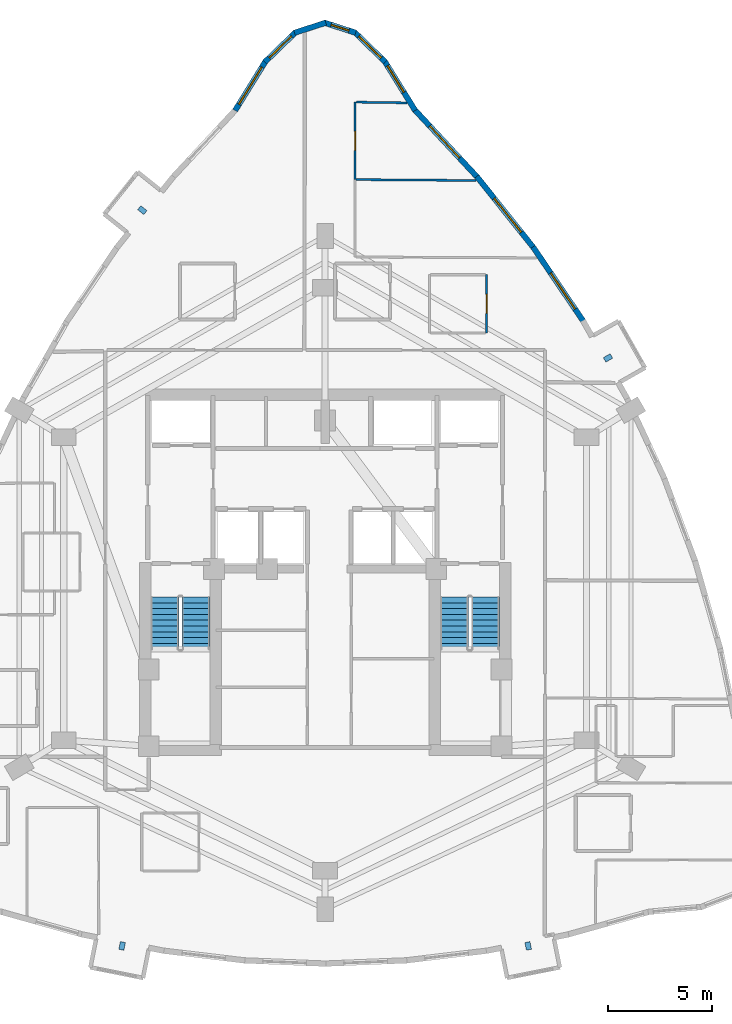
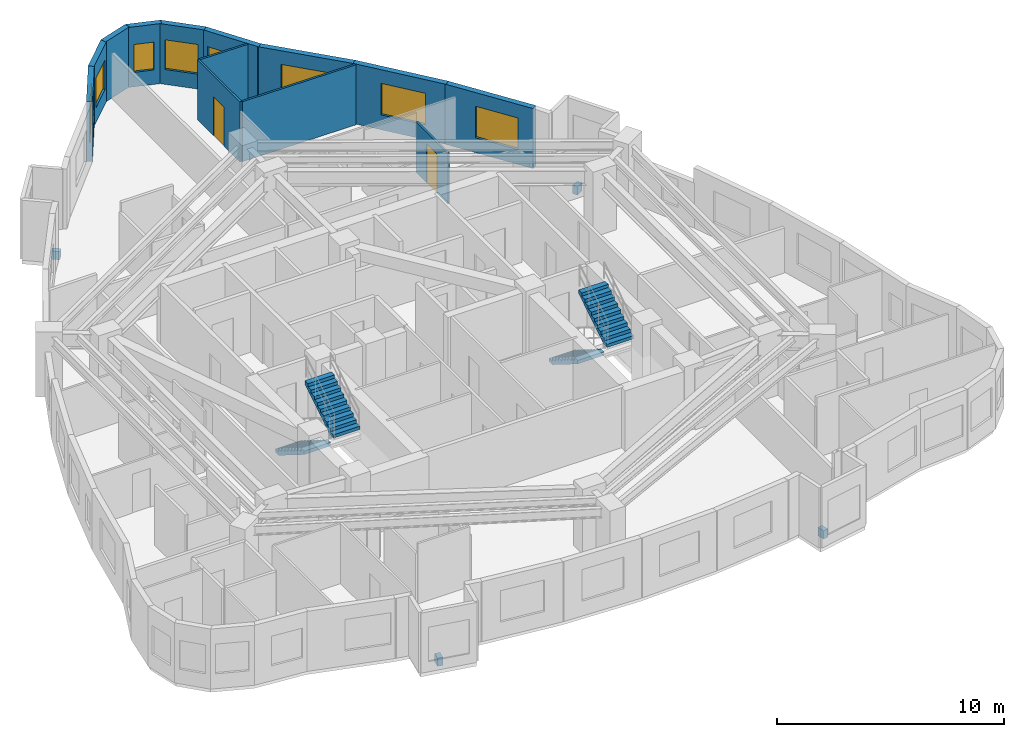
# One storey, part 10 of 11: 13 walls, 8 windows, 4 discrete accessories, 4 stair flights, 2 doors, 10 openings, 2 elements without a shape of their own.
"""IFC4 building model written with IfcOpenShell, lengths in metres."""

from ifc_helpers import new_model, si_unit, direction, frame, frame_2d, origin, origin_2d, place, context, subcontext, project, spatial, polyline, rectangle, outline, extrude, material, layer, layer_set, type_object, element, fill, aggregate, save


model = new_model("IFC4")

# Units and contexts
model_context = context("Model", 3, precision=1e-05, world=origin(), true_north=direction((0.0, 1.0)))
body_context = subcontext(model_context, "Body", "Model", "MODEL_VIEW")
ifc_project = project(units=[si_unit("LENGTHUNIT", "METRE"), si_unit("AREAUNIT", "SQUARE_METRE"), si_unit("VOLUMEUNIT", "CUBIC_METRE"), si_unit("PLANEANGLEUNIT", "RADIAN"), si_unit("MASSUNIT", "GRAM", prefix="KILO")], contexts=[model_context])

# Site, building, storey
site_placement = place(None, origin())
site = spatial("IfcSite", under=ifc_project, at=site_placement, CompositionType="ELEMENT")
building_placement = place(site_placement, origin())
building = spatial("IfcBuilding", under=site, at=building_placement, Name="Miruveldt Soraemaru", CompositionType="ELEMENT")
storey_placement = place(building_placement, frame((0.0, 0.0, 156.39990234375)))
storey = spatial("IfcBuildingStorey", under=building, at=storey_placement, Name="L43", CompositionType="ELEMENT", Elevation=156.39990234375)

# Wall, opening, window
ifc_material_1 = material(Name="Precast concrete C45/55 (45 MPa)", Category="concrete")
ifc_layer_1 = layer(ifc_material_1, 0.27001953125, Name="Precast concrete C45/55 (45 MPa)", Category="concrete")
ifc_layer_set_1 = layer_set([ifc_layer_1], Name="Precast concrete C45/55 (45 MPa)")
wall_type_1 = type_object("IfcWallType", Name="WALL-EXT-PC270", PredefinedType="SOLIDWALL", material=ifc_layer_set_1)
wall_1_placement = place(storey_placement, frame((48.339599609375, 66.14794921875, 0.0), z_axis=(0.0, 0.0, 1.0), x_axis=(-0.526109148916, 0.850417052644, 0.0)))
wall_1 = element("IfcWall", 1, at=wall_1_placement, inside=storey, type_object=wall_type_1, Name="L43 Precast Concrete Facade Wall 1", PredefinedType="SOLIDWALL", context=body_context, shape_type="SweptSolid", body=[
    extrude(rectangle(XDim=2.807861328125, YDim=0.27001953125, at=frame_2d((1.40380859375, 0.0))), origin(), (0.0, 0.0, 1.0), 3.235107421875),
])
opening_1_placement = place(wall_1_placement, frame((1.035888671875, 0.0, 0.800048828125)))
opening_1 = element("IfcOpeningElement", 2, at=opening_1_placement, cuts=wall_1, Name="Opening WN-3", PredefinedType="OPENING", context=body_context, shape_type="SweptSolid", body=[
    extrude(rectangle(XDim=1.5, YDim=1.60009765625, at=frame_2d((0.75, 0.800048828125))), frame((0.0, 0.14501953125, 0.0), z_axis=(0.0, -1.0, 0.0), x_axis=(1.0, 0.0, 0.0)), (0.0, 0.0, 1.0), 0.2900390625),
])
ifc_material_2 = material(Name="Triple low-e insulated glazing", Category="glass")
window_type_1 = type_object("IfcWindowType", Name="WIN-PUNCH-1500x1600", PartitioningType="SINGLE_PANEL", PredefinedType="WINDOW", material=ifc_material_2)
window_1_placement = place(opening_1_placement, origin())
window_1 = element("IfcWindow", 3, at=window_1_placement, inside=storey, type_object=window_type_1, Name="L43 Punched Triple-Glazed Window 01.1", OverallHeight=1.60009765625, OverallWidth=1.5, PartitioningType="SINGLE_PANEL", PredefinedType="WINDOW", context=body_context, shape_type="SweptSolid", body=[
    extrude(rectangle(XDim=1.5, YDim=1.60009765625, at=frame_2d((0.75, 0.800048828125))), frame((0.0, 0.030029296875, 0.0), z_axis=(0.0, -1.0, 0.0), x_axis=(1.0, 0.0, 0.0)), (0.0, 0.0, 1.0), 0.06005859375),
])
fill(opening_1, window_1)

wall_2_placement = place(storey_placement, frame((46.906005859375, 68.481689453125, 0.0), z_axis=(0.0, 0.0, 1.0), x_axis=(-0.71778110487, 0.696268831337, 0.0)))
wall_2 = element("IfcWall", 4, at=wall_2_placement, inside=storey, type_object=wall_type_1, Name="L43 Precast Concrete Facade Wall 2", PredefinedType="SOLIDWALL", context=body_context, shape_type="SweptSolid", body=[
    extrude(rectangle(XDim=2.076904296875, YDim=0.27001953125, at=frame_2d((1.03857421875, 0.0))), origin(), (0.0, 0.0, 1.0), 3.235107421875),
])
opening_2_placement = place(wall_2_placement, frame((0.2880859375, 0.0, 0.800048828125)))
opening_2 = element("IfcOpeningElement", 5, at=opening_2_placement, cuts=wall_2, Name="Opening WN-3", PredefinedType="OPENING", context=body_context, shape_type="SweptSolid", body=[
    extrude(rectangle(XDim=1.5, YDim=1.60009765625, at=frame_2d((0.75, 0.800048828125))), frame((0.0, 0.14501953125, 0.0), z_axis=(0.0, -1.0, 0.0), x_axis=(1.0, 0.0, 0.0)), (0.0, 0.0, 1.0), 0.2900390625),
])
window_2_placement = place(opening_2_placement, origin())
window_2 = element("IfcWindow", 6, at=window_2_placement, inside=storey, type_object=window_type_1, Name="L43 Punched Triple-Glazed Window 02.1", OverallHeight=1.60009765625, OverallWidth=1.5, PartitioningType="SINGLE_PANEL", PredefinedType="WINDOW", context=body_context, shape_type="SweptSolid", body=[
    extrude(rectangle(XDim=1.5, YDim=1.60009765625, at=frame_2d((0.75, 0.800048828125))), frame((0.0, 0.030029296875, 0.0), z_axis=(0.0, -1.0, 0.0), x_axis=(1.0, 0.0, 0.0)), (0.0, 0.0, 1.0), 0.06005859375),
])
fill(opening_2, window_2)

wall_3_placement = place(storey_placement, frame((45.4736328125, 69.892578125, 0.0), z_axis=(0.0, 0.0, 1.0), x_axis=(-0.95148169375, 0.307705356566, 0.0)))
wall_3 = element("IfcWall", 7, at=wall_3_placement, inside=storey, type_object=wall_type_1, Name="L43 Precast Concrete Facade Wall 3", PredefinedType="SOLIDWALL", context=body_context, shape_type="SweptSolid", body=[
    extrude(rectangle(XDim=1.583740234375, YDim=0.27001953125, at=frame_2d((0.7919921875, 0.0))), origin(), (0.0, 0.0, 1.0), 3.235107421875),
])
opening_3_placement = place(wall_3_placement, frame((0.342041015625, 0.0, 0.780029296875)))
opening_3 = element("IfcOpeningElement", 8, at=opening_3_placement, cuts=wall_3, Name="Opening WN-7", PredefinedType="OPENING", context=body_context, shape_type="SweptSolid", body=[
    extrude(rectangle(XDim=0.89990234375, YDim=1.5, at=frame_2d((0.449951171875, 0.75))), frame((0.0, 0.14501953125, 0.0), z_axis=(0.0, -1.0, 0.0), x_axis=(1.0, 0.0, 0.0)), (0.0, 0.0, 1.0), 0.2900390625),
])
window_type_2 = type_object("IfcWindowType", Name="WIN-PUNCH-900x1500", PartitioningType="SINGLE_PANEL", PredefinedType="WINDOW", material=ifc_material_2)
window_3_placement = place(opening_3_placement, origin())
window_3 = element("IfcWindow", 9, at=window_3_placement, inside=storey, type_object=window_type_2, Name="L43 Punched Triple-Glazed Window 03.1", OverallHeight=1.5, OverallWidth=0.89990234375, PartitioningType="SINGLE_PANEL", PredefinedType="WINDOW", context=body_context, shape_type="SweptSolid", body=[
    extrude(rectangle(XDim=0.89990234375, YDim=1.5, at=frame_2d((0.449951171875, 0.75))), frame((0.0, 0.030029296875, 0.0), z_axis=(0.0, -1.0, 0.0), x_axis=(1.0, 0.0, 0.0)), (0.0, 0.0, 1.0), 0.06005859375),
])
fill(opening_3, window_3)

# Wall
wall_4_placement = place(storey_placement, frame((44.033203125, 70.3798828125, 0.0), z_axis=(0.0, 0.0, 1.0), x_axis=(-0.95148169375, -0.307705356566, 0.0)))
element("IfcWall", 10, at=wall_4_placement, inside=storey, type_object=wall_type_1, Name="L43 Precast Concrete Facade Wall 4", PredefinedType="SOLIDWALL", context=body_context, shape_type="SweptSolid", body=[
    extrude(rectangle(XDim=1.583740234375, YDim=0.27001953125, at=frame_2d((0.7919921875, 0.0))), origin(), (0.0, 0.0, 1.0), 3.235107421875),
])

# Wall, opening, window
wall_5_placement = place(storey_placement, frame((42.584716796875, 69.927734375, 0.0), z_axis=(0.0, 0.0, 1.0), x_axis=(-0.71778110487, -0.696268831337, 0.0)))
wall_5 = element("IfcWall", 11, at=wall_5_placement, inside=storey, type_object=wall_type_1, Name="L43 Precast Concrete Facade Wall 5", PredefinedType="SOLIDWALL", context=body_context, shape_type="SweptSolid", body=[
    extrude(rectangle(XDim=2.076904296875, YDim=0.27001953125, at=frame_2d((1.03857421875, 0.0))), origin(), (0.0, 0.0, 1.0), 3.235107421875),
])
opening_4_placement = place(wall_5_placement, frame((0.2880859375, 0.0, 0.800048828125)))
opening_4 = element("IfcOpeningElement", 12, at=opening_4_placement, cuts=wall_5, Name="Opening WN-3", PredefinedType="OPENING", context=body_context, shape_type="SweptSolid", body=[
    extrude(rectangle(XDim=1.5, YDim=1.60009765625, at=frame_2d((0.75, 0.800048828125))), frame((0.0, 0.14501953125, 0.0), z_axis=(0.0, -1.0, 0.0), x_axis=(1.0, 0.0, 0.0)), (0.0, 0.0, 1.0), 0.2900390625),
])
window_4_placement = place(opening_4_placement, origin())
window_4 = element("IfcWindow", 13, at=window_4_placement, inside=storey, type_object=window_type_1, Name="L43 Punched Triple-Glazed Window 05.1", OverallHeight=1.60009765625, OverallWidth=1.5, PartitioningType="SINGLE_PANEL", PredefinedType="WINDOW", context=body_context, shape_type="SweptSolid", body=[
    extrude(rectangle(XDim=1.5, YDim=1.60009765625, at=frame_2d((0.75, 0.800048828125))), frame((0.0, 0.030029296875, 0.0), z_axis=(0.0, -1.0, 0.0), x_axis=(1.0, 0.0, 0.0)), (0.0, 0.0, 1.0), 0.06005859375),
])
fill(opening_4, window_4)

wall_6_placement = place(storey_placement, frame((41.1376953125, 68.535888671875, 0.0), z_axis=(0.0, 0.0, 1.0), x_axis=(-0.526109148916, -0.850417052644, 0.0)))
wall_6 = element("IfcWall", 14, at=wall_6_placement, inside=storey, type_object=wall_type_1, Name="L43 Precast Concrete Facade Wall 6", PredefinedType="SOLIDWALL", context=body_context, shape_type="SweptSolid", body=[
    extrude(rectangle(XDim=2.807861328125, YDim=0.27001953125, at=frame_2d((1.40380859375, 0.0))), origin(), (0.0, 0.0, 1.0), 3.235107421875),
])
opening_5_placement = place(wall_6_placement, frame((0.35400390625, 0.0, 0.800048828125)))
opening_5 = element("IfcOpeningElement", 15, at=opening_5_placement, cuts=wall_6, Name="Opening WN-1", PredefinedType="OPENING", context=body_context, shape_type="SweptSolid", body=[
    extrude(rectangle(XDim=2.10009765625, YDim=1.699951171875, at=frame_2d((1.050048828125, 0.85009765625))), frame((0.0, 0.14501953125, 0.0), z_axis=(0.0, -1.0, 0.0), x_axis=(1.0, 0.0, 0.0)), (0.0, 0.0, 1.0), 0.2900390625),
])
window_type_3 = type_object("IfcWindowType", Name="WIN-PUNCH-2100x1700", PartitioningType="SINGLE_PANEL", PredefinedType="WINDOW", material=ifc_material_2)
window_5_placement = place(opening_5_placement, origin())
window_5 = element("IfcWindow", 16, at=window_5_placement, inside=storey, type_object=window_type_3, Name="L43 Punched Triple-Glazed Window 06.1", OverallHeight=1.699951171875, OverallWidth=2.10009765625, PartitioningType="SINGLE_PANEL", PredefinedType="WINDOW", context=body_context, shape_type="SweptSolid", body=[
    extrude(rectangle(XDim=2.10009765625, YDim=1.699951171875, at=frame_2d((1.050048828125, 0.85009765625))), frame((0.0, 0.030029296875, 0.0), z_axis=(0.0, -1.0, 0.0), x_axis=(1.0, 0.0, 0.0)), (0.0, 0.0, 1.0), 0.06005859375),
])
fill(opening_5, window_5)

wall_7_placement = place(storey_placement, frame((56.4638671875, 55.966064453125, 0.0), z_axis=(0.0, 0.0, 1.0), x_axis=(-0.560825848464, 0.827933794271, 0.0)))
wall_7 = element("IfcWall", 17, at=wall_7_placement, inside=storey, type_object=wall_type_1, Name="L43 Precast Concrete Facade Wall 40", PredefinedType="SOLIDWALL", context=body_context, shape_type="SweptSolid", body=[
    extrude(rectangle(XDim=4.35791015625, YDim=0.27001953125, at=frame_2d((2.178955078125, 0.0))), origin(), (0.0, 0.0, 1.0), 3.235107421875),
])
opening_6_placement = place(wall_7_placement, frame((0.739013671875, 0.0, 0.800048828125)))
opening_6 = element("IfcOpeningElement", 18, at=opening_6_placement, cuts=wall_7, Name="Opening WN-1", PredefinedType="OPENING", context=body_context, shape_type="SweptSolid", body=[
    extrude(rectangle(XDim=2.10009765625, YDim=1.699951171875, at=frame_2d((1.050048828125, 0.85009765625))), frame((0.0, 0.14501953125, 0.0), z_axis=(0.0, -1.0, 0.0), x_axis=(1.0, 0.0, 0.0)), (0.0, 0.0, 1.0), 0.2900390625),
])
window_6_placement = place(opening_6_placement, origin())
window_6 = element("IfcWindow", 19, at=window_6_placement, inside=storey, type_object=window_type_3, Name="L43 Punched Triple-Glazed Window 40.1", OverallHeight=1.699951171875, OverallWidth=2.10009765625, PartitioningType="SINGLE_PANEL", PredefinedType="WINDOW", context=body_context, shape_type="SweptSolid", body=[
    extrude(rectangle(XDim=2.10009765625, YDim=1.699951171875, at=frame_2d((1.050048828125, 0.85009765625))), frame((0.0, 0.030029296875, 0.0), z_axis=(0.0, -1.0, 0.0), x_axis=(1.0, 0.0, 0.0)), (0.0, 0.0, 1.0), 0.06005859375),
])
fill(opening_6, window_6)

wall_8_placement = place(storey_placement, frame((54.06103515625, 59.517822265625, 0.0), z_axis=(0.0, 0.0, 1.0), x_axis=(-0.623594433012, 0.781748030452, 0.0)))
wall_8 = element("IfcWall", 20, at=wall_8_placement, inside=storey, type_object=wall_type_1, Name="L43 Precast Concrete Facade Wall 41", PredefinedType="SOLIDWALL", context=body_context, shape_type="SweptSolid", body=[
    extrude(rectangle(XDim=4.411865234375, YDim=0.27001953125, at=frame_2d((2.2060546875, 0.0))), origin(), (0.0, 0.0, 1.0), 3.235107421875),
])
opening_7_placement = place(wall_8_placement, frame((0.971923828125, 0.0, 0.800048828125)))
opening_7 = element("IfcOpeningElement", 21, at=opening_7_placement, cuts=wall_8, Name="Opening WN-1", PredefinedType="OPENING", context=body_context, shape_type="SweptSolid", body=[
    extrude(rectangle(XDim=2.10009765625, YDim=1.699951171875, at=frame_2d((1.050048828125, 0.85009765625))), frame((0.0, 0.14501953125, 0.0), z_axis=(0.0, -1.0, 0.0), x_axis=(1.0, 0.0, 0.0)), (0.0, 0.0, 1.0), 0.2900390625),
])
window_7_placement = place(opening_7_placement, origin())
window_7 = element("IfcWindow", 22, at=window_7_placement, inside=storey, type_object=window_type_3, Name="L43 Punched Triple-Glazed Window 41.1", OverallHeight=1.699951171875, OverallWidth=2.10009765625, PartitioningType="SINGLE_PANEL", PredefinedType="WINDOW", context=body_context, shape_type="SweptSolid", body=[
    extrude(rectangle(XDim=2.10009765625, YDim=1.699951171875, at=frame_2d((1.050048828125, 0.85009765625))), frame((0.0, 0.030029296875, 0.0), z_axis=(0.0, -1.0, 0.0), x_axis=(1.0, 0.0, 0.0)), (0.0, 0.0, 1.0), 0.06005859375),
])
fill(opening_7, window_7)

wall_9_placement = place(storey_placement, frame((51.35546875, 62.913818359375, 0.0), z_axis=(0.0, 0.0, 1.0), x_axis=(-0.680872139793, 0.732402300142, 0.0)))
wall_9 = element("IfcWall", 23, at=wall_9_placement, inside=storey, type_object=wall_type_1, Name="L43 Precast Concrete Facade Wall 42", PredefinedType="SOLIDWALL", context=body_context, shape_type="SweptSolid", body=[
    extrude(rectangle(XDim=4.491455078125, YDim=0.27001953125, at=frame_2d((2.24560546875, 0.0))), origin(), (0.0, 0.0, 1.0), 3.235107421875),
])
opening_8_placement = place(wall_9_placement, frame((1.291015625, 0.0, 0.800048828125)))
opening_8 = element("IfcOpeningElement", 24, at=opening_8_placement, cuts=wall_9, Name="Opening WN-1", PredefinedType="OPENING", context=body_context, shape_type="SweptSolid", body=[
    extrude(rectangle(XDim=2.10009765625, YDim=1.699951171875, at=frame_2d((1.050048828125, 0.85009765625))), frame((0.0, 0.14501953125, 0.0), z_axis=(0.0, -1.0, 0.0), x_axis=(1.0, 0.0, 0.0)), (0.0, 0.0, 1.0), 0.2900390625),
])
window_8_placement = place(opening_8_placement, origin())
window_8 = element("IfcWindow", 25, at=window_8_placement, inside=storey, type_object=window_type_3, Name="L43 Punched Triple-Glazed Window 42.1", OverallHeight=1.699951171875, OverallWidth=2.10009765625, PartitioningType="SINGLE_PANEL", PredefinedType="WINDOW", context=body_context, shape_type="SweptSolid", body=[
    extrude(rectangle(XDim=2.10009765625, YDim=1.699951171875, at=frame_2d((1.050048828125, 0.85009765625))), frame((0.0, 0.030029296875, 0.0), z_axis=(0.0, -1.0, 0.0), x_axis=(1.0, 0.0, 0.0)), (0.0, 0.0, 1.0), 0.06005859375),
])
fill(opening_8, window_8)

# Wall, opening, door
ifc_material_3 = material(Name="Gypsum plasterboard lining", Category="gypsum")
ifc_layer_2 = layer(ifc_material_3, 0.10009765625, Name="Gypsum plasterboard lining", Category="gypsum")
ifc_layer_set_2 = layer_set([ifc_layer_2], Name="Gypsum plasterboard lining")
wall_type_2 = type_object("IfcWallType", Name="WALL-INT-P100", PredefinedType="PARTITIONING", material=ifc_layer_set_2)
wall_10_placement = place(storey_placement, frame((45.449951171875, 62.81591796875, 0.0), z_axis=(0.0, 0.0, 1.0), x_axis=(0.0, 1.0, 0.0)))
wall_10 = element("IfcWall", 26, at=wall_10_placement, inside=storey, type_object=wall_type_2, Name="L43 Partition Wall 27", PredefinedType="PARTITIONING", context=body_context, shape_type="SweptSolid", body=[
    extrude(rectangle(XDim=3.735107421875, YDim=0.10009765625, at=frame_2d((1.86767578125, 0.0))), origin(), (0.0, 0.0, 1.0), 3.235107421875),
])
opening_9_placement = place(wall_10_placement, frame((1.406982421875, 0.0, 0.0)))
opening_9 = element("IfcOpeningElement", 27, at=opening_9_placement, cuts=wall_10, Name="Opening D3A", PredefinedType="OPENING", context=body_context, shape_type="SweptSolid", body=[
    extrude(rectangle(XDim=0.919921875, YDim=2.10009765625, at=frame_2d((0.4599609375, 1.050048828125))), frame((0.0, 0.06005859375, 0.0), z_axis=(0.0, -1.0, 0.0), x_axis=(1.0, 0.0, 0.0)), (0.0, 0.0, 1.0), 0.1201171875),
])
ifc_material_4 = material(Name="Anodised aluminium EN AW-6063 T6", Category="aluminium")
door_type = type_object("IfcDoorType", Name="DOOR-INT-920", OperationType="NOTDEFINED", PredefinedType="DOOR", material=ifc_material_4)
door_1_placement = place(opening_9_placement, origin())
door_1 = element("IfcDoor", 28, at=door_1_placement, inside=storey, type_object=door_type, Name="L43 Unit 4302 BD2 Door", OperationType="SINGLE_SWING_RIGHT", OverallHeight=2.10009765625, OverallWidth=0.919921875, PredefinedType="DOOR", context=body_context, shape_type="SweptSolid", body=[
    extrude(rectangle(XDim=0.919921875, YDim=2.10009765625, at=frame_2d((0.4599609375, 1.050048828125))), frame((0.0, 0.02490234375, 0.0), z_axis=(0.0, -1.0, 0.0), x_axis=(1.0, 0.0, 0.0)), (0.0, 0.0, 1.0), 0.050048828125),
])
fill(opening_9, door_1)

wall_11_placement = place(storey_placement, frame((51.781005859375, 55.429931640625, 0.0), z_axis=(0.0, 0.0, 1.0), x_axis=(0.0, 1.0, 0.0)))
wall_11 = element("IfcWall", 29, at=wall_11_placement, inside=storey, type_object=wall_type_2, Name="L43 Partition Wall 21", PredefinedType="PARTITIONING", context=body_context, shape_type="SweptSolid", body=[
    extrude(rectangle(XDim=2.800048828125, YDim=0.10009765625, at=frame_2d((1.39990234375, 0.0))), origin(), (0.0, 0.0, 1.0), 2.72314453125),
])
opening_10_placement = place(wall_11_placement, frame((0.93994140625, 0.0, 0.0)))
opening_10 = element("IfcOpeningElement", 30, at=opening_10_placement, cuts=wall_11, Name="Opening D3A", PredefinedType="OPENING", context=body_context, shape_type="SweptSolid", body=[
    extrude(rectangle(XDim=0.919921875, YDim=2.10009765625, at=frame_2d((0.4599609375, 1.050048828125))), frame((0.0, 0.06005859375, 0.0), z_axis=(0.0, -1.0, 0.0), x_axis=(1.0, 0.0, 0.0)), (0.0, 0.0, 1.0), 0.1201171875),
])
door_2_placement = place(opening_10_placement, origin())
door_2 = element("IfcDoor", 31, at=door_2_placement, inside=storey, type_object=door_type, Name="L43 Unit 4302 KIT Door", OperationType="SINGLE_SWING_RIGHT", OverallHeight=2.10009765625, OverallWidth=0.919921875, PredefinedType="DOOR", context=body_context, shape_type="SweptSolid", body=[
    extrude(rectangle(XDim=0.919921875, YDim=2.10009765625, at=frame_2d((0.4599609375, 1.050048828125))), frame((0.0, 0.02490234375, 0.0), z_axis=(0.0, -1.0, 0.0), x_axis=(1.0, 0.0, 0.0)), (0.0, 0.0, 1.0), 0.050048828125),
])
fill(opening_10, door_2)

# Walls
wall_12_placement = place(storey_placement, frame((51.27294921875, 62.77197265625, 0.0), z_axis=(0.0, 0.0, 1.0), x_axis=(-0.999971027847, 0.007612060603, 0.0)))
element("IfcWall", 32, at=wall_12_placement, inside=storey, type_object=wall_type_2, Name="L43 Partition Wall 30", PredefinedType="PARTITIONING", context=body_context, shape_type="SweptSolid", body=[
    extrude(rectangle(XDim=5.773193359375, YDim=0.10009765625, at=frame_2d((2.88671875, 0.0))), origin(), (0.0, 0.0, 1.0), 3.235107421875),
])
wall_13_placement = place(storey_placement, frame((45.5, 66.550048828125, 0.0), z_axis=(0.0, 0.0, 1.0), x_axis=(0.99989010278, -0.014825058627, 0.0)))
element("IfcWall", 33, at=wall_13_placement, inside=storey, type_object=wall_type_2, Name="L43 Partition Wall 28", PredefinedType="PARTITIONING", context=body_context, shape_type="SweptSolid", body=[
    extrude(rectangle(XDim=2.437255859375, YDim=0.10009765625, at=frame_2d((1.21875, 0.0))), origin(), (0.0, 0.0, 1.0), 3.235107421875),
])

# Stair, stair flights
ifc_material_5 = material(Name="Concrete C40/50 (40 MPa)", Category="concrete")
stair_type = type_object("IfcStairType", Name="STAIR-DL-350", PredefinedType="HALF_TURN_STAIR", material=ifc_material_5)
stair_1_placement = place(storey_placement, origin())
stair_1 = element("IfcStair", 34, at=stair_1_placement, inside=storey, type_object=stair_type, Name="L43 Protected Exit Stair ST-1", PredefinedType="HALF_TURN_STAIR")
stair_flight_type = type_object("IfcStairFlightType", Name="SFL-DL-350", PredefinedType="STRAIGHT", material=ifc_material_5)
stair_flight_1_placement = place(storey_placement, frame((36.27490234375, 42.699951171875, 0.0), z_axis=(0.0, 0.0, 1.0), x_axis=(0.0, -1.0, 0.0)))
stair_flight_1 = element("IfcStairFlight", 35, at=stair_flight_1_placement, type_object=stair_flight_type, Name="ST-1 flight 1", NumberOfRisers=10, NumberOfTreads=9, PredefinedType="STRAIGHT", RiserHeight=0.175, TreadLength=0.28, context=body_context, shape_type="SweptSolid", body=[
    extrude(outline(polyline([(0.0, 0.0), (0.0, 0.175048828125), (0.280029296875, 0.175048828125), (0.280029296875, 0.35009765625), (0.56005859375, 0.35009765625), (0.56005859375, 0.52490234375), (0.840087890625, 0.52490234375), (0.840087890625, 0.699951171875), (1.1201171875, 0.699951171875), (1.1201171875, 0.875), (1.39990234375, 0.875), (1.39990234375, 1.050048828125), (1.679931640625, 1.050048828125), (1.679931640625, 1.22509765625), (1.9599609375, 1.22509765625), (1.9599609375, 1.39990234375), (2.239990234375, 1.39990234375), (2.239990234375, 1.574951171875), (2.52001953125, 1.574951171875), (2.52001953125, 1.75), (2.52001953125, 1.386474609375), (0.3017578125, 0.0), (0.0, 0.0)])), frame((0.0, 0.675048828125, 0.0), z_axis=(0.0, -1.0, 0.0), x_axis=(1.0, 0.0, 0.0)), (0.0, 0.0, 1.0), 1.35009765625),
])
stair_flight_2_placement = place(storey_placement, frame((37.77490234375, 40.179931640625, 1.75), z_axis=(0.0, 0.0, 1.0), x_axis=(0.0, 1.0, 0.0)))
stair_flight_2 = element("IfcStairFlight", 36, at=stair_flight_2_placement, type_object=stair_flight_type, Name="ST-1 flight 2", NumberOfRisers=10, NumberOfTreads=9, PredefinedType="STRAIGHT", RiserHeight=0.175, TreadLength=0.28, context=body_context, shape_type="SweptSolid", body=[
    extrude(outline(polyline([(0.0, 0.0), (0.0, 0.175048828125), (0.280029296875, 0.175048828125), (0.280029296875, 0.35009765625), (0.56005859375, 0.35009765625), (0.56005859375, 0.52490234375), (0.840087890625, 0.52490234375), (0.840087890625, 0.699951171875), (1.1201171875, 0.699951171875), (1.1201171875, 0.875), (1.39990234375, 0.875), (1.39990234375, 1.050048828125), (1.679931640625, 1.050048828125), (1.679931640625, 1.22509765625), (1.9599609375, 1.22509765625), (1.9599609375, 1.39990234375), (2.239990234375, 1.39990234375), (2.239990234375, 1.574951171875), (2.52001953125, 1.574951171875), (2.52001953125, 1.75), (2.52001953125, 1.386474609375), (0.3017578125, 0.0), (0.0, 0.0)])), frame((0.0, 0.675048828125, 0.0), z_axis=(0.0, -1.0, 0.0), x_axis=(1.0, 0.0, 0.0)), (0.0, 0.0, 1.0), 1.35009765625),
])
aggregate(stair_1, [stair_flight_1, stair_flight_2])

stair_2_placement = place(storey_placement, origin())
stair_2 = element("IfcStair", 37, at=stair_2_placement, inside=storey, type_object=stair_type, Name="L43 Protected Exit Stair ST-2", PredefinedType="HALF_TURN_STAIR")
stair_flight_3_placement = place(storey_placement, frame((50.22509765625, 42.699951171875, 0.0), z_axis=(0.0, 0.0, 1.0), x_axis=(0.0, -1.0, 0.0)))
stair_flight_3 = element("IfcStairFlight", 38, at=stair_flight_3_placement, type_object=stair_flight_type, Name="ST-2 flight 1", NumberOfRisers=10, NumberOfTreads=9, PredefinedType="STRAIGHT", RiserHeight=0.175, TreadLength=0.28, context=body_context, shape_type="SweptSolid", body=[
    extrude(outline(polyline([(0.0, 0.0), (0.0, 0.175048828125), (0.280029296875, 0.175048828125), (0.280029296875, 0.35009765625), (0.56005859375, 0.35009765625), (0.56005859375, 0.52490234375), (0.840087890625, 0.52490234375), (0.840087890625, 0.699951171875), (1.1201171875, 0.699951171875), (1.1201171875, 0.875), (1.39990234375, 0.875), (1.39990234375, 1.050048828125), (1.679931640625, 1.050048828125), (1.679931640625, 1.22509765625), (1.9599609375, 1.22509765625), (1.9599609375, 1.39990234375), (2.239990234375, 1.39990234375), (2.239990234375, 1.574951171875), (2.52001953125, 1.574951171875), (2.52001953125, 1.75), (2.52001953125, 1.386474609375), (0.3017578125, 0.0), (0.0, 0.0)])), frame((0.0, 0.675048828125, 0.0), z_axis=(0.0, -1.0, 0.0), x_axis=(1.0, 0.0, 0.0)), (0.0, 0.0, 1.0), 1.35009765625),
])
stair_flight_4_placement = place(storey_placement, frame((51.72509765625, 40.179931640625, 1.75), z_axis=(0.0, 0.0, 1.0), x_axis=(0.0, 1.0, 0.0)))
stair_flight_4 = element("IfcStairFlight", 39, at=stair_flight_4_placement, type_object=stair_flight_type, Name="ST-2 flight 2", NumberOfRisers=10, NumberOfTreads=9, PredefinedType="STRAIGHT", RiserHeight=0.175, TreadLength=0.28, context=body_context, shape_type="SweptSolid", body=[
    extrude(outline(polyline([(0.0, 0.0), (0.0, 0.175048828125), (0.280029296875, 0.175048828125), (0.280029296875, 0.35009765625), (0.56005859375, 0.35009765625), (0.56005859375, 0.52490234375), (0.840087890625, 0.52490234375), (0.840087890625, 0.699951171875), (1.1201171875, 0.699951171875), (1.1201171875, 0.875), (1.39990234375, 0.875), (1.39990234375, 1.050048828125), (1.679931640625, 1.050048828125), (1.679931640625, 1.22509765625), (1.9599609375, 1.22509765625), (1.9599609375, 1.39990234375), (2.239990234375, 1.39990234375), (2.239990234375, 1.574951171875), (2.52001953125, 1.574951171875), (2.52001953125, 1.75), (2.52001953125, 1.386474609375), (0.3017578125, 0.0), (0.0, 0.0)])), frame((0.0, 0.675048828125, 0.0), z_axis=(0.0, -1.0, 0.0), x_axis=(1.0, 0.0, 0.0)), (0.0, 0.0, 1.0), 1.35009765625),
])
aggregate(stair_2, [stair_flight_3, stair_flight_4])

# Discrete accessories
ifc_material_6 = material(Name="Steel SM355 (355 MPa)", Category="steel")
discrete_accessory_type = type_object("IfcDiscreteAccessoryType", Name="ACC-BAY-BRK", PredefinedType="BRACKET", material=ifc_material_6)
for number, where, z_axis, x_axis, name in (
    (40, (34.214599609375, 25.88037109375, -0.7099609375), (0.0, 0.0, 1.0), (-0.19613440513, -0.980577021516, 0.0), "L43 Bay Window Cantilever Bracket 1"),
    (41, (53.785400390625, 25.88037109375, -0.7099609375), (0.0, 0.0, 1.0), (0.19613440513, -0.980577021516, 0.0), "L43 Bay Window Cantilever Bracket 2"),
    (42, (57.634521484375, 54.220703125, -0.7099609375), (0.0, 0.0, 1.0), (0.869830943614, 0.493349905778, 0.0), "L43 Bay Window Cantilever Bracket 3"),
    (43, (35.189453125, 61.34228515625, -0.7099609375), (0.0, 0.0, 1.0), (-0.781727315753, 0.623620400408, 0.0), "L43 Bay Window Cantilever Bracket 4"),
):
    element("IfcDiscreteAccessory", number, at=place(storey_placement, frame(where, z_axis=z_axis, x_axis=x_axis)), inside=storey, type_object=discrete_accessory_type, Name=name, PredefinedType="BRACKET", context=body_context, shape_type="SweptSolid", body=[
        extrude(rectangle(XDim=0.3798828125, YDim=0.25, at=origin_2d()), origin(), (0.0, 0.0, 1.0), 0.449951171875),
    ])

save(model, "model.ifc")
